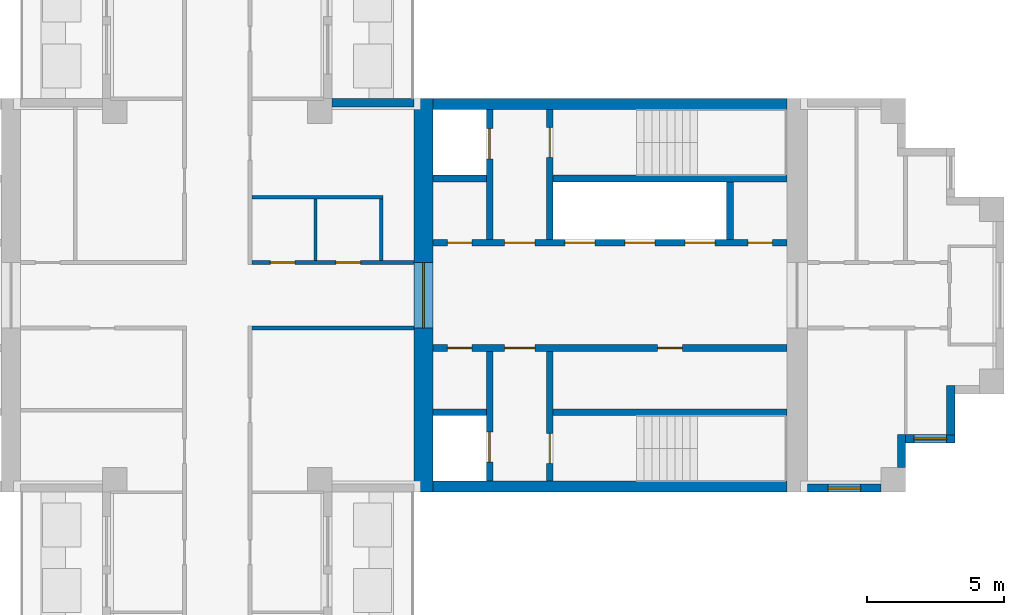
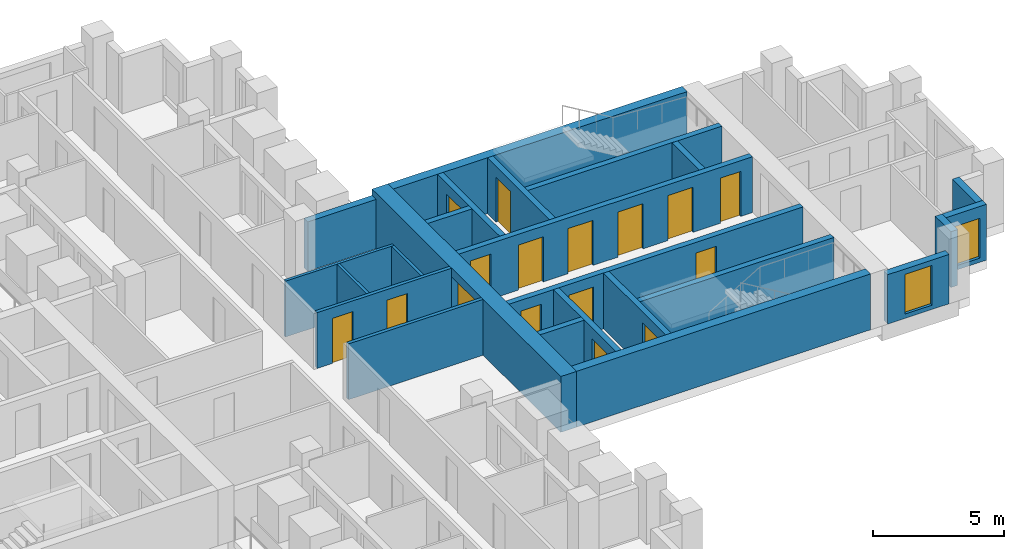
# One storey, part 5 of 9: 24 walls, 16 doors, 2 windows, 18 openings.
"""IFC4 building model written with IfcOpenShell, lengths in metres."""

from ifc_helpers import new_model, si_unit, direction, frame, frame_2d, origin, place, context, subcontext, project, spatial, rectangle, extrude, material, layer, layer_set, type_object, element, fill, save


model = new_model("IFC4")

# Units and contexts
model_context = context("Model", 3, precision=1e-05, world=origin(), true_north=direction((0.0, 1.0)))
body_context = subcontext(model_context, "Body", "Model", "MODEL_VIEW")
ifc_project = project(units=[si_unit("LENGTHUNIT", "METRE"), si_unit("AREAUNIT", "SQUARE_METRE"), si_unit("VOLUMEUNIT", "CUBIC_METRE"), si_unit("PLANEANGLEUNIT", "RADIAN"), si_unit("MASSUNIT", "GRAM", prefix="KILO")], contexts=[model_context])

# Site, building, storey
site_placement = place(None, origin())
site = spatial("IfcSite", under=ifc_project, at=site_placement, CompositionType="ELEMENT")
building_placement = place(site_placement, origin())
building = spatial("IfcBuilding", under=site, at=building_placement, Name="Fustian Cross Tower", CompositionType="ELEMENT")
storey_placement = place(building_placement, frame((0.0, 0.0, 216.89990234375)))
storey = spatial("IfcBuildingStorey", under=building, at=storey_placement, Name="L68", CompositionType="ELEMENT", Elevation=216.89990234375)

# Wall
ifc_material_1 = material(Name="Plasterboard on steel stud", Category="steel")
ifc_layer_1 = layer(ifc_material_1, 0.14990234375)
ifc_layer_set_1 = layer_set([ifc_layer_1], Name="Plasterboard on steel stud")
wall_type_1 = type_object("IfcWallType", Name="COMPARTMENT WALL 150 EI 60", PredefinedType="PARTITIONING", material=ifc_layer_set_1)
wall_1_placement = place(storey_placement, frame((1.27490234375, -1.199951171875, 0.0), z_axis=(0.0, 0.0, 1.0), x_axis=(1.0, 0.0, 0.0)))
element("IfcWall", 1, at=wall_1_placement, inside=storey, type_object=wall_type_1, Name="Partition 38", PredefinedType="PARTITIONING", context=body_context, shape_type="SweptSolid", body=[
    extrude(rectangle(XDim=5.925048828125, YDim=0.14990234375, at=frame_2d((2.96240234375, 0.0))), origin(), (0.0, 0.0, 1.0), 2.60009765625),
])

# Wall, openings, doors
wall_2_placement = place(storey_placement, frame((1.27490234375, 1.199951171875, 0.0), z_axis=(0.0, 0.0, 1.0), x_axis=(1.0, 0.0, 0.0)))
wall_2 = element("IfcWall", 2, at=wall_2_placement, inside=storey, type_object=wall_type_1, Name="Partition 40", PredefinedType="PARTITIONING", context=body_context, shape_type="SweptSolid", body=[
    extrude(rectangle(XDim=5.925048828125, YDim=0.14990234375, at=frame_2d((2.96240234375, 0.0))), origin(), (0.0, 0.0, 1.0), 2.60009765625),
])
opening_1_placement = place(wall_2_placement, frame((0.675048828125, 0.0, 0.0)))
opening_1 = element("IfcOpeningElement", 3, at=opening_1_placement, cuts=wall_2, Name="Opening D31001", PredefinedType="OPENING", context=body_context, shape_type="SweptSolid", body=[
    extrude(rectangle(XDim=0.89990234375, YDim=2.10009765625, at=frame_2d((0.449951171875, 1.050048828125))), frame((0.0, 0.0849609375, 0.0), z_axis=(0.0, -1.0, 0.0), x_axis=(1.0, 0.0, 0.0)), (0.0, 0.0, 1.0), 0.169921875),
])
opening_2_placement = place(wall_2_placement, frame((3.074951171875, 0.0, 0.0)))
opening_2 = element("IfcOpeningElement", 4, at=opening_2_placement, cuts=wall_2, Name="Opening D31002", PredefinedType="OPENING", context=body_context, shape_type="SweptSolid", body=[
    extrude(rectangle(XDim=0.89990234375, YDim=2.10009765625, at=frame_2d((0.449951171875, 1.050048828125))), frame((0.0, 0.0849609375, 0.0), z_axis=(0.0, -1.0, 0.0), x_axis=(1.0, 0.0, 0.0)), (0.0, 0.0, 1.0), 0.169921875),
])
ifc_material_2 = material(Name="Timber fire door set", Category="wood")
door_type_1 = type_object("IfcDoorType", Name="FIRE SWING DOOR 900 FD30S", OperationType="SINGLE_SWING_LEFT", PredefinedType="DOOR", material=ifc_material_2)
door_1_placement = place(opening_1_placement, origin())
door_1 = element("IfcDoor", 5, at=door_1_placement, inside=storey, type_object=door_type_1, Name="Door D31001", OperationType="SINGLE_SWING_LEFT", OverallHeight=2.10009765625, OverallWidth=0.89990234375, PredefinedType="DOOR", context=body_context, shape_type="SweptSolid", body=[
    extrude(rectangle(XDim=0.89990234375, YDim=2.10009765625, at=frame_2d((0.449951171875, 1.050048828125))), frame((0.0, 0.02490234375, 0.0), z_axis=(0.0, -1.0, 0.0), x_axis=(1.0, 0.0, 0.0)), (0.0, 0.0, 1.0), 0.050048828125),
])
fill(opening_1, door_1)
door_2_placement = place(opening_2_placement, origin())
door_2 = element("IfcDoor", 6, at=door_2_placement, inside=storey, type_object=door_type_1, Name="Door D31002", OperationType="SINGLE_SWING_LEFT", OverallHeight=2.10009765625, OverallWidth=0.89990234375, PredefinedType="DOOR", context=body_context, shape_type="SweptSolid", body=[
    extrude(rectangle(XDim=0.89990234375, YDim=2.10009765625, at=frame_2d((0.449951171875, 1.050048828125))), frame((0.0, 0.02490234375, 0.0), z_axis=(0.0, -1.0, 0.0), x_axis=(1.0, 0.0, 0.0)), (0.0, 0.0, 1.0), 0.050048828125),
])
fill(opening_2, door_2)

# Wall, opening, door
ifc_material_3 = material(Name="Concrete C50/60", Category="concrete")
ifc_layer_2 = layer(ifc_material_3, 0.699951171875)
ifc_layer_set_2 = layer_set([ifc_layer_2], Name="Concrete C50/60")
wall_type_2 = type_object("IfcWallType", Name="CORE END WALL 700 C50/60", PredefinedType="SHEAR", material=ifc_layer_set_2)
wall_3_placement = place(storey_placement, frame((7.550048828125, -7.199951171875, 0.0), z_axis=(0.0, 0.0, 1.0), x_axis=(0.0, 1.0, 0.0)))
wall_3 = element("IfcWall", 7, at=wall_3_placement, inside=storey, type_object=wall_type_2, Name="Core end wall", PredefinedType="SHEAR", context=body_context, shape_type="SweptSolid", body=[
    extrude(rectangle(XDim=14.39990234375, YDim=0.699951171875, at=frame_2d((7.199951171875, 0.0))), origin(), (0.0, 0.0, 1.0), 2.60009765625),
])
opening_3_placement = place(wall_3_placement, frame((6.0, 0.0, 0.0)))
opening_3 = element("IfcOpeningElement", 8, at=opening_3_placement, cuts=wall_3, Name="Opening CD-29-12", PredefinedType="OPENING", context=body_context, shape_type="SweptSolid", body=[
    extrude(rectangle(XDim=2.39990234375, YDim=2.199951171875, at=frame_2d((1.199951171875, 1.10009765625))), frame((0.0, 0.35986328125, 0.0), z_axis=(0.0, -1.0, 0.0), x_axis=(1.0, 0.0, 0.0)), (0.0, 0.0, 1.0), 0.719970703125),
])
ifc_material_4 = material(Name="Steel", Category="steel")
door_type_2 = type_object("IfcDoorType", Name="FIRE DOOR FD30S DOUBLE 2400X2200", OperationType="DOUBLE_DOOR_DOUBLE_SWING", PredefinedType="DOOR", material=ifc_material_4)
door_3_placement = place(opening_3_placement, frame((2.39990234375, 0.0, 0.0), z_axis=(0.0, 0.0, 1.0), x_axis=(-1.0, 0.0, 0.0)))
door_3 = element("IfcDoor", 9, at=door_3_placement, inside=storey, type_object=door_type_2, Name="Core door CD-29-12", OperationType="DOUBLE_DOOR_DOUBLE_SWING", OverallHeight=2.199951171875, OverallWidth=2.39990234375, PredefinedType="DOOR", context=body_context, shape_type="SweptSolid", body=[
    extrude(rectangle(XDim=2.39990234375, YDim=2.199951171875, at=frame_2d((1.199951171875, 1.10009765625))), frame((0.0, 0.02490234375, 0.0), z_axis=(0.0, -1.0, 0.0), x_axis=(1.0, 0.0, 0.0)), (0.0, 0.0, 1.0), 0.050048828125),
])
fill(opening_3, door_3)

# Walls
ifc_material_5 = material(Name="Concrete C50/60", Category="concrete")
ifc_layer_3 = layer(ifc_material_5, 0.39990234375)
ifc_layer_set_3 = layer_set([ifc_layer_3], Name="Concrete C50/60")
wall_type_3 = type_object("IfcWallType", Name="CORE FACADE WALL 400 C50/60", PredefinedType="SHEAR", material=ifc_layer_set_3)
for number, where, z_axis, x_axis, name in (
    (10, (7.89990234375, 7.0, 0.0), (0.0, 0.0, 1.0), (1.0, 0.0, 0.0), "Core facade wall"),
    (11, (7.89990234375, -7.0, 0.0), (0.0, 0.0, 1.0), (1.0, 0.0, 0.0), "Core facade wall"),
):
    element("IfcWall", number, at=place(storey_placement, frame(where, z_axis=z_axis, x_axis=x_axis)), inside=storey, type_object=wall_type_3, Name=name, PredefinedType="SHEAR", context=body_context, shape_type="SweptSolid", body=[
        extrude(rectangle(XDim=12.9501953125, YDim=0.39990234375, at=frame_2d((6.47509765625, 0.0))), origin(), (0.0, 0.0, 1.0), 2.60009765625),
    ])

# Wall, openings, doors
ifc_material_6 = material(Name="Concrete C50/60", Category="concrete")
ifc_layer_4 = layer(ifc_material_6, 0.25)
ifc_layer_set_4 = layer_set([ifc_layer_4], Name="Concrete C50/60")
wall_type_4 = type_object("IfcWallType", Name="CORE LOBBY WALL 250 C50/60", PredefinedType="SHEAR", material=ifc_layer_set_4)
wall_4_placement = place(storey_placement, frame((7.89990234375, 1.925048828125, 0.0), z_axis=(0.0, 0.0, 1.0), x_axis=(1.0, 0.0, 0.0)))
wall_4 = element("IfcWall", 12, at=wall_4_placement, inside=storey, type_object=wall_type_4, Name="Core lobby wall", PredefinedType="SHEAR", context=body_context, shape_type="SweptSolid", body=[
    extrude(rectangle(XDim=12.9501953125, YDim=0.25, at=frame_2d((6.47509765625, 0.0))), origin(), (0.0, 0.0, 1.0), 2.60009765625),
])
opening_4_placement = place(wall_4_placement, frame((4.824951171875, 0.0, 0.0)))
opening_4 = element("IfcOpeningElement", 13, at=opening_4_placement, cuts=wall_4, Name="Opening LD", PredefinedType="OPENING", context=body_context, shape_type="SweptSolid", body=[
    extrude(rectangle(XDim=1.10009765625, YDim=2.10009765625, at=frame_2d((0.550048828125, 1.050048828125))), frame((0.0, 0.135009765625, 0.0), z_axis=(0.0, -1.0, 0.0), x_axis=(1.0, 0.0, 0.0)), (0.0, 0.0, 1.0), 0.27001953125),
])
opening_5_placement = place(wall_4_placement, frame((7.02490234375, 0.0, 0.0)))
opening_5 = element("IfcOpeningElement", 14, at=opening_5_placement, cuts=wall_4, Name="Opening LD", PredefinedType="OPENING", context=body_context, shape_type="SweptSolid", body=[
    extrude(rectangle(XDim=1.10009765625, YDim=2.10009765625, at=frame_2d((0.550048828125, 1.050048828125))), frame((0.0, 0.135009765625, 0.0), z_axis=(0.0, -1.0, 0.0), x_axis=(1.0, 0.0, 0.0)), (0.0, 0.0, 1.0), 0.27001953125),
])
opening_6_placement = place(wall_4_placement, frame((9.22509765625, 0.0, 0.0)))
opening_6 = element("IfcOpeningElement", 15, at=opening_6_placement, cuts=wall_4, Name="Opening LD", PredefinedType="OPENING", context=body_context, shape_type="SweptSolid", body=[
    extrude(rectangle(XDim=1.10009765625, YDim=2.10009765625, at=frame_2d((0.550048828125, 1.050048828125))), frame((0.0, 0.135009765625, 0.0), z_axis=(0.0, -1.0, 0.0), x_axis=(1.0, 0.0, 0.0)), (0.0, 0.0, 1.0), 0.27001953125),
])
opening_7_placement = place(wall_4_placement, frame((0.52490234375, 0.0, 0.0)))
opening_7 = element("IfcOpeningElement", 16, at=opening_7_placement, cuts=wall_4, Name="Opening CD-29-08", PredefinedType="OPENING", context=body_context, shape_type="SweptSolid", body=[
    extrude(rectangle(XDim=0.89990234375, YDim=2.10009765625, at=frame_2d((0.449951171875, 1.050048828125))), frame((0.0, 0.135009765625, 0.0), z_axis=(0.0, -1.0, 0.0), x_axis=(1.0, 0.0, 0.0)), (0.0, 0.0, 1.0), 0.27001953125),
])
opening_8_placement = place(wall_4_placement, frame((2.625, 0.0, 0.0)))
opening_8 = element("IfcOpeningElement", 17, at=opening_8_placement, cuts=wall_4, Name="Opening CD-29-10", PredefinedType="OPENING", context=body_context, shape_type="SweptSolid", body=[
    extrude(rectangle(XDim=1.10009765625, YDim=2.10009765625, at=frame_2d((0.550048828125, 1.050048828125))), frame((0.0, 0.135009765625, 0.0), z_axis=(0.0, -1.0, 0.0), x_axis=(1.0, 0.0, 0.0)), (0.0, 0.0, 1.0), 0.27001953125),
])
opening_9_placement = place(wall_4_placement, frame((11.52490234375, 0.0, 0.0)))
opening_9 = element("IfcOpeningElement", 18, at=opening_9_placement, cuts=wall_4, Name="Opening CD-29-14", PredefinedType="OPENING", context=body_context, shape_type="SweptSolid", body=[
    extrude(rectangle(XDim=0.89990234375, YDim=2.10009765625, at=frame_2d((0.449951171875, 1.050048828125))), frame((0.0, 0.135009765625, 0.0), z_axis=(0.0, -1.0, 0.0), x_axis=(1.0, 0.0, 0.0)), (0.0, 0.0, 1.0), 0.27001953125),
])
ifc_material_7 = material(Name="Steel", Category="steel")
door_type_3 = type_object("IfcDoorType", Name="FIRE DOOR FD30S 900X2100", OperationType="SINGLE_SWING_LEFT", PredefinedType="DOOR", material=ifc_material_7)
door_4_placement = place(opening_9_placement, origin())
door_4 = element("IfcDoor", 19, at=door_4_placement, inside=storey, type_object=door_type_3, Name="Core door CD-29-14", OperationType="SINGLE_SWING_LEFT", OverallHeight=2.10009765625, OverallWidth=0.89990234375, PredefinedType="DOOR", context=body_context, shape_type="SweptSolid", body=[
    extrude(rectangle(XDim=0.89990234375, YDim=2.10009765625, at=frame_2d((0.449951171875, 1.050048828125))), frame((0.0, 0.02490234375, 0.0), z_axis=(0.0, -1.0, 0.0), x_axis=(1.0, 0.0, 0.0)), (0.0, 0.0, 1.0), 0.050048828125),
])
fill(opening_9, door_4)
ifc_material_8 = material(Name="Steel", Category="steel")
door_type_4 = type_object("IfcDoorType", Name="FIRE DOOR FD60S 1100X2100", OperationType="SINGLE_SWING_LEFT", PredefinedType="DOOR", material=ifc_material_8)
door_5_placement = place(opening_8_placement, frame((1.10009765625, 0.0, 0.0), z_axis=(0.0, 0.0, 1.0), x_axis=(-1.0, 0.0, 0.0)))
door_5 = element("IfcDoor", 20, at=door_5_placement, inside=storey, type_object=door_type_4, Name="Core door CD-29-10", OperationType="SINGLE_SWING_RIGHT", OverallHeight=2.10009765625, OverallWidth=1.10009765625, PredefinedType="DOOR", context=body_context, shape_type="SweptSolid", body=[
    extrude(rectangle(XDim=1.10009765625, YDim=2.10009765625, at=frame_2d((0.550048828125, 1.050048828125))), frame((0.0, 0.02490234375, 0.0), z_axis=(0.0, -1.0, 0.0), x_axis=(1.0, 0.0, 0.0)), (0.0, 0.0, 1.0), 0.050048828125),
])
fill(opening_8, door_5)
ifc_material_9 = material(Name="Steel", Category="steel")
door_type_5 = type_object("IfcDoorType", Name="FIRE DOOR FD60S 900X2100", OperationType="SINGLE_SWING_LEFT", PredefinedType="DOOR", material=ifc_material_9)
door_6_placement = place(opening_7_placement, origin())
door_6 = element("IfcDoor", 21, at=door_6_placement, inside=storey, type_object=door_type_5, Name="Core door CD-29-08", OperationType="SINGLE_SWING_LEFT", OverallHeight=2.10009765625, OverallWidth=0.89990234375, PredefinedType="DOOR", context=body_context, shape_type="SweptSolid", body=[
    extrude(rectangle(XDim=0.89990234375, YDim=2.10009765625, at=frame_2d((0.449951171875, 1.050048828125))), frame((0.0, 0.02490234375, 0.0), z_axis=(0.0, -1.0, 0.0), x_axis=(1.0, 0.0, 0.0)), (0.0, 0.0, 1.0), 0.050048828125),
])
fill(opening_7, door_6)
ifc_material_10 = material(Name="Stainless steel", Category="steel")
door_type_6 = type_object("IfcDoorType", Name="LIFT LANDING DOOR 1100X2100", OperationType="SLIDING_TO_LEFT", PredefinedType="DOOR", material=ifc_material_10)
door_7_placement = place(opening_4_placement, origin())
door_7 = element("IfcDoor", 22, at=door_7_placement, inside=storey, type_object=door_type_6, Name="Landing door HR1", OperationType="SLIDING_TO_LEFT", OverallHeight=2.10009765625, OverallWidth=1.10009765625, PredefinedType="DOOR", context=body_context, shape_type="SweptSolid", body=[
    extrude(rectangle(XDim=1.10009765625, YDim=2.10009765625, at=frame_2d((0.550048828125, 1.050048828125))), frame((0.0, 0.02490234375, 0.0), z_axis=(0.0, -1.0, 0.0), x_axis=(1.0, 0.0, 0.0)), (0.0, 0.0, 1.0), 0.050048828125),
])
fill(opening_4, door_7)
door_8_placement = place(opening_5_placement, origin())
door_8 = element("IfcDoor", 23, at=door_8_placement, inside=storey, type_object=door_type_6, Name="Landing door HR2", OperationType="SLIDING_TO_LEFT", OverallHeight=2.10009765625, OverallWidth=1.10009765625, PredefinedType="DOOR", context=body_context, shape_type="SweptSolid", body=[
    extrude(rectangle(XDim=1.10009765625, YDim=2.10009765625, at=frame_2d((0.550048828125, 1.050048828125))), frame((0.0, 0.02490234375, 0.0), z_axis=(0.0, -1.0, 0.0), x_axis=(1.0, 0.0, 0.0)), (0.0, 0.0, 1.0), 0.050048828125),
])
fill(opening_5, door_8)
door_9_placement = place(opening_6_placement, origin())
door_9 = element("IfcDoor", 24, at=door_9_placement, inside=storey, type_object=door_type_6, Name="Landing door HR3", OperationType="SLIDING_TO_LEFT", OverallHeight=2.10009765625, OverallWidth=1.10009765625, PredefinedType="DOOR", context=body_context, shape_type="SweptSolid", body=[
    extrude(rectangle(XDim=1.10009765625, YDim=2.10009765625, at=frame_2d((0.550048828125, 1.050048828125))), frame((0.0, 0.02490234375, 0.0), z_axis=(0.0, -1.0, 0.0), x_axis=(1.0, 0.0, 0.0)), (0.0, 0.0, 1.0), 0.050048828125),
])
fill(opening_6, door_9)

wall_5_placement = place(storey_placement, frame((7.89990234375, -1.925048828125, 0.0), z_axis=(0.0, 0.0, 1.0), x_axis=(1.0, 0.0, 0.0)))
wall_5 = element("IfcWall", 25, at=wall_5_placement, inside=storey, type_object=wall_type_4, Name="Core lobby wall", PredefinedType="SHEAR", context=body_context, shape_type="SweptSolid", body=[
    extrude(rectangle(XDim=12.9501953125, YDim=0.25, at=frame_2d((6.47509765625, 0.0))), origin(), (0.0, 0.0, 1.0), 2.60009765625),
])
opening_10_placement = place(wall_5_placement, frame((0.52490234375, 0.0, 0.0)))
opening_10 = element("IfcOpeningElement", 26, at=opening_10_placement, cuts=wall_5, Name="Opening CD-29-09", PredefinedType="OPENING", context=body_context, shape_type="SweptSolid", body=[
    extrude(rectangle(XDim=0.89990234375, YDim=2.10009765625, at=frame_2d((0.449951171875, 1.050048828125))), frame((0.0, 0.135009765625, 0.0), z_axis=(0.0, -1.0, 0.0), x_axis=(1.0, 0.0, 0.0)), (0.0, 0.0, 1.0), 0.27001953125),
])
opening_11_placement = place(wall_5_placement, frame((2.625, 0.0, 0.0)))
opening_11 = element("IfcOpeningElement", 27, at=opening_11_placement, cuts=wall_5, Name="Opening CD-29-11", PredefinedType="OPENING", context=body_context, shape_type="SweptSolid", body=[
    extrude(rectangle(XDim=1.10009765625, YDim=2.10009765625, at=frame_2d((0.550048828125, 1.050048828125))), frame((0.0, 0.135009765625, 0.0), z_axis=(0.0, -1.0, 0.0), x_axis=(1.0, 0.0, 0.0)), (0.0, 0.0, 1.0), 0.27001953125),
])
opening_12_placement = place(wall_5_placement, frame((8.22509765625, 0.0, 0.0)))
opening_12 = element("IfcOpeningElement", 28, at=opening_12_placement, cuts=wall_5, Name="Opening CD-29-15", PredefinedType="OPENING", context=body_context, shape_type="SweptSolid", body=[
    extrude(rectangle(XDim=0.89990234375, YDim=2.10009765625, at=frame_2d((0.449951171875, 1.050048828125))), frame((0.0, 0.135009765625, 0.0), z_axis=(0.0, -1.0, 0.0), x_axis=(1.0, 0.0, 0.0)), (0.0, 0.0, 1.0), 0.27001953125),
])
ifc_material_11 = material(Name="Steel", Category="steel")
door_type_7 = type_object("IfcDoorType", Name="FIRE DOOR FD30S 1100X2100", OperationType="SINGLE_SWING_LEFT", PredefinedType="DOOR", material=ifc_material_11)
door_10_placement = place(opening_11_placement, frame((1.10009765625, 0.0, 0.0), z_axis=(0.0, 0.0, 1.0), x_axis=(-1.0, 0.0, 0.0)))
door_10 = element("IfcDoor", 29, at=door_10_placement, inside=storey, type_object=door_type_7, Name="Core door CD-29-11", OperationType="SINGLE_SWING_RIGHT", OverallHeight=2.10009765625, OverallWidth=1.10009765625, PredefinedType="DOOR", context=body_context, shape_type="SweptSolid", body=[
    extrude(rectangle(XDim=1.10009765625, YDim=2.10009765625, at=frame_2d((0.550048828125, 1.050048828125))), frame((0.0, 0.02490234375, 0.0), z_axis=(0.0, -1.0, 0.0), x_axis=(1.0, 0.0, 0.0)), (0.0, 0.0, 1.0), 0.050048828125),
])
fill(opening_11, door_10)
door_11_placement = place(opening_10_placement, frame((0.89990234375, 0.0, 0.0), z_axis=(0.0, 0.0, 1.0), x_axis=(-1.0, 0.0, 0.0)))
door_11 = element("IfcDoor", 30, at=door_11_placement, inside=storey, type_object=door_type_3, Name="Core door CD-29-09", OperationType="SINGLE_SWING_RIGHT", OverallHeight=2.10009765625, OverallWidth=0.89990234375, PredefinedType="DOOR", context=body_context, shape_type="SweptSolid", body=[
    extrude(rectangle(XDim=0.89990234375, YDim=2.10009765625, at=frame_2d((0.449951171875, 1.050048828125))), frame((0.0, 0.02490234375, 0.0), z_axis=(0.0, -1.0, 0.0), x_axis=(1.0, 0.0, 0.0)), (0.0, 0.0, 1.0), 0.050048828125),
])
fill(opening_10, door_11)
door_12_placement = place(opening_12_placement, frame((0.89990234375, 0.0, 0.0), z_axis=(0.0, 0.0, 1.0), x_axis=(-1.0, 0.0, 0.0)))
door_12 = element("IfcDoor", 31, at=door_12_placement, inside=storey, type_object=door_type_3, Name="Core door CD-29-15", OperationType="SINGLE_SWING_LEFT", OverallHeight=2.10009765625, OverallWidth=0.89990234375, PredefinedType="DOOR", context=body_context, shape_type="SweptSolid", body=[
    extrude(rectangle(XDim=0.89990234375, YDim=2.10009765625, at=frame_2d((0.449951171875, 1.050048828125))), frame((0.0, 0.02490234375, 0.0), z_axis=(0.0, -1.0, 0.0), x_axis=(1.0, 0.0, 0.0)), (0.0, 0.0, 1.0), 0.050048828125),
])
fill(opening_12, door_12)

# Walls
ifc_material_12 = material(Name="Concrete C50/60", Category="concrete")
ifc_layer_5 = layer(ifc_material_12, 0.25)
ifc_layer_set_5 = layer_set([ifc_layer_5], Name="Concrete C50/60")
wall_type_5 = type_object("IfcWallType", Name="CORE SHAFT WALL 250 C50/60", PredefinedType="SHEAR", material=ifc_layer_set_5)
wall_6_placement = place(storey_placement, frame((7.89990234375, 4.27490234375, 0.0), z_axis=(0.0, 0.0, 1.0), x_axis=(1.0, 0.0, 0.0)))
element("IfcWall", 32, at=wall_6_placement, inside=storey, type_object=wall_type_5, Name="Core shaft wall", PredefinedType="SHEAR", context=body_context, shape_type="SweptSolid", body=[
    extrude(rectangle(XDim=1.9501953125, YDim=0.25, at=frame_2d((0.97509765625, 0.0))), origin(), (0.0, 0.0, 1.0), 2.60009765625),
])
wall_7_placement = place(storey_placement, frame((12.300048828125, 4.27490234375, 0.0), z_axis=(0.0, 0.0, 1.0), x_axis=(1.0, 0.0, 0.0)))
element("IfcWall", 33, at=wall_7_placement, inside=storey, type_object=wall_type_5, Name="Core shaft wall", PredefinedType="SHEAR", context=body_context, shape_type="SweptSolid", body=[
    extrude(rectangle(XDim=8.550048828125, YDim=0.25, at=frame_2d((4.27490234375, 0.0))), origin(), (0.0, 0.0, 1.0), 2.60009765625),
])

# Wall, opening, door
wall_8_placement = place(storey_placement, frame((9.97509765625, 2.050048828125, 0.0), z_axis=(0.0, 0.0, 1.0), x_axis=(0.0, 1.0, 0.0)))
wall_8 = element("IfcWall", 34, at=wall_8_placement, inside=storey, type_object=wall_type_5, Name="Core shaft wall", PredefinedType="SHEAR", context=body_context, shape_type="SweptSolid", body=[
    extrude(rectangle(XDim=4.75, YDim=0.25, at=frame_2d((2.375, 0.0))), origin(), (0.0, 0.0, 1.0), 2.60009765625),
])
opening_13_placement = place(wall_8_placement, frame((2.949951171875, 0.0, 0.0)))
opening_13 = element("IfcOpeningElement", 35, at=opening_13_placement, cuts=wall_8, Name="Opening LD", PredefinedType="OPENING", context=body_context, shape_type="SweptSolid", body=[
    extrude(rectangle(XDim=1.10009765625, YDim=2.10009765625, at=frame_2d((0.550048828125, 1.050048828125))), frame((0.0, 0.135009765625, 0.0), z_axis=(0.0, -1.0, 0.0), x_axis=(1.0, 0.0, 0.0)), (0.0, 0.0, 1.0), 0.27001953125),
])
door_13_placement = place(opening_13_placement, origin())
door_13 = element("IfcDoor", 36, at=door_13_placement, inside=storey, type_object=door_type_6, Name="Landing door FL1", OperationType="SLIDING_TO_LEFT", OverallHeight=2.10009765625, OverallWidth=1.10009765625, PredefinedType="DOOR", context=body_context, shape_type="SweptSolid", body=[
    extrude(rectangle(XDim=1.10009765625, YDim=2.10009765625, at=frame_2d((0.550048828125, 1.050048828125))), frame((0.0, 0.02490234375, 0.0), z_axis=(0.0, -1.0, 0.0), x_axis=(1.0, 0.0, 0.0)), (0.0, 0.0, 1.0), 0.050048828125),
])
fill(opening_13, door_13)

wall_9_placement = place(storey_placement, frame((12.175048828125, 2.050048828125, 0.0), z_axis=(0.0, 0.0, 1.0), x_axis=(0.0, 1.0, 0.0)))
wall_9 = element("IfcWall", 37, at=wall_9_placement, inside=storey, type_object=wall_type_5, Name="Core shaft wall", PredefinedType="SHEAR", context=body_context, shape_type="SweptSolid", body=[
    extrude(rectangle(XDim=4.75, YDim=0.25, at=frame_2d((2.375, 0.0))), origin(), (0.0, 0.0, 1.0), 2.60009765625),
])
opening_14_placement = place(wall_9_placement, frame((3.0, 0.0, 0.0)))
opening_14 = element("IfcOpeningElement", 38, at=opening_14_placement, cuts=wall_9, Name="Opening CD-29-06", PredefinedType="OPENING", context=body_context, shape_type="SweptSolid", body=[
    extrude(rectangle(XDim=1.10009765625, YDim=2.10009765625, at=frame_2d((0.550048828125, 1.050048828125))), frame((0.0, 0.135009765625, 0.0), z_axis=(0.0, -1.0, 0.0), x_axis=(1.0, 0.0, 0.0)), (0.0, 0.0, 1.0), 0.27001953125),
])
door_14_placement = place(opening_14_placement, frame((1.10009765625, 0.0, 0.0), z_axis=(0.0, 0.0, 1.0), x_axis=(-1.0, 0.0, 0.0)))
door_14 = element("IfcDoor", 39, at=door_14_placement, inside=storey, type_object=door_type_4, Name="Core door CD-29-06", OperationType="SINGLE_SWING_RIGHT", OverallHeight=2.10009765625, OverallWidth=1.10009765625, PredefinedType="DOOR", context=body_context, shape_type="SweptSolid", body=[
    extrude(rectangle(XDim=1.10009765625, YDim=2.10009765625, at=frame_2d((0.550048828125, 1.050048828125))), frame((0.0, 0.02490234375, 0.0), z_axis=(0.0, -1.0, 0.0), x_axis=(1.0, 0.0, 0.0)), (0.0, 0.0, 1.0), 0.050048828125),
])
fill(opening_14, door_14)

# Walls
wall_10_placement = place(storey_placement, frame((7.89990234375, -4.27490234375, 0.0), z_axis=(0.0, 0.0, 1.0), x_axis=(1.0, 0.0, 0.0)))
element("IfcWall", 40, at=wall_10_placement, inside=storey, type_object=wall_type_5, Name="Core shaft wall", PredefinedType="SHEAR", context=body_context, shape_type="SweptSolid", body=[
    extrude(rectangle(XDim=1.9501953125, YDim=0.25, at=frame_2d((0.97509765625, 0.0))), origin(), (0.0, 0.0, 1.0), 2.60009765625),
])
wall_11_placement = place(storey_placement, frame((12.300048828125, -4.27490234375, 0.0), z_axis=(0.0, 0.0, 1.0), x_axis=(1.0, 0.0, 0.0)))
element("IfcWall", 41, at=wall_11_placement, inside=storey, type_object=wall_type_5, Name="Core shaft wall", PredefinedType="SHEAR", context=body_context, shape_type="SweptSolid", body=[
    extrude(rectangle(XDim=8.550048828125, YDim=0.25, at=frame_2d((4.27490234375, 0.0))), origin(), (0.0, 0.0, 1.0), 2.60009765625),
])

# Wall, opening, door
wall_12_placement = place(storey_placement, frame((9.97509765625, -2.050048828125, 0.0), z_axis=(0.0, 0.0, 1.0), x_axis=(0.0, -1.0, 0.0)))
wall_12 = element("IfcWall", 42, at=wall_12_placement, inside=storey, type_object=wall_type_5, Name="Core shaft wall", PredefinedType="SHEAR", context=body_context, shape_type="SweptSolid", body=[
    extrude(rectangle(XDim=4.75, YDim=0.25, at=frame_2d((2.375, 0.0))), origin(), (0.0, 0.0, 1.0), 2.60009765625),
])
opening_15_placement = place(wall_12_placement, frame((2.949951171875, 0.0, 0.0)))
opening_15 = element("IfcOpeningElement", 43, at=opening_15_placement, cuts=wall_12, Name="Opening LD", PredefinedType="OPENING", context=body_context, shape_type="SweptSolid", body=[
    extrude(rectangle(XDim=1.10009765625, YDim=2.10009765625, at=frame_2d((0.550048828125, 1.050048828125))), frame((0.0, 0.135009765625, 0.0), z_axis=(0.0, -1.0, 0.0), x_axis=(1.0, 0.0, 0.0)), (0.0, 0.0, 1.0), 0.27001953125),
])
door_15_placement = place(opening_15_placement, origin())
door_15 = element("IfcDoor", 44, at=door_15_placement, inside=storey, type_object=door_type_6, Name="Landing door SV1", OperationType="SLIDING_TO_LEFT", OverallHeight=2.10009765625, OverallWidth=1.10009765625, PredefinedType="DOOR", context=body_context, shape_type="SweptSolid", body=[
    extrude(rectangle(XDim=1.10009765625, YDim=2.10009765625, at=frame_2d((0.550048828125, 1.050048828125))), frame((0.0, 0.02490234375, 0.0), z_axis=(0.0, -1.0, 0.0), x_axis=(1.0, 0.0, 0.0)), (0.0, 0.0, 1.0), 0.050048828125),
])
fill(opening_15, door_15)

wall_13_placement = place(storey_placement, frame((12.175048828125, -2.050048828125, 0.0), z_axis=(0.0, 0.0, 1.0), x_axis=(0.0, -1.0, 0.0)))
wall_13 = element("IfcWall", 45, at=wall_13_placement, inside=storey, type_object=wall_type_5, Name="Core shaft wall", PredefinedType="SHEAR", context=body_context, shape_type="SweptSolid", body=[
    extrude(rectangle(XDim=4.75, YDim=0.25, at=frame_2d((2.375, 0.0))), origin(), (0.0, 0.0, 1.0), 2.60009765625),
])
opening_16_placement = place(wall_13_placement, frame((3.0, 0.0, 0.0)))
opening_16 = element("IfcOpeningElement", 46, at=opening_16_placement, cuts=wall_13, Name="Opening CD-29-07", PredefinedType="OPENING", context=body_context, shape_type="SweptSolid", body=[
    extrude(rectangle(XDim=1.10009765625, YDim=2.10009765625, at=frame_2d((0.550048828125, 1.050048828125))), frame((0.0, 0.135009765625, 0.0), z_axis=(0.0, -1.0, 0.0), x_axis=(1.0, 0.0, 0.0)), (0.0, 0.0, 1.0), 0.27001953125),
])
door_16_placement = place(opening_16_placement, origin())
door_16 = element("IfcDoor", 47, at=door_16_placement, inside=storey, type_object=door_type_4, Name="Core door CD-29-07", OperationType="SINGLE_SWING_LEFT", OverallHeight=2.10009765625, OverallWidth=1.10009765625, PredefinedType="DOOR", context=body_context, shape_type="SweptSolid", body=[
    extrude(rectangle(XDim=1.10009765625, YDim=2.10009765625, at=frame_2d((0.550048828125, 1.050048828125))), frame((0.0, 0.02490234375, 0.0), z_axis=(0.0, -1.0, 0.0), x_axis=(1.0, 0.0, 0.0)), (0.0, 0.0, 1.0), 0.050048828125),
])
fill(opening_16, door_16)

# Walls
ifc_material_13 = material(Name="Concrete C40/50", Category="concrete")
ifc_layer_6 = layer(ifc_material_13, 0.25)
ifc_layer_set_6 = layer_set([ifc_layer_6], Name="Concrete C40/50")
wall_type_6 = type_object("IfcWallType", Name="SHAFT PARTITION WALL 250 C40/50", PredefinedType="PARTITIONING", material=ifc_layer_set_6)
wall_14_placement = place(storey_placement, frame((18.77490234375, 2.050048828125, 0.0), z_axis=(0.0, 0.0, 1.0), x_axis=(0.0, 1.0, 0.0)))
element("IfcWall", 48, at=wall_14_placement, inside=storey, type_object=wall_type_6, Name="Core shaft wall", PredefinedType="PARTITIONING", context=body_context, shape_type="SweptSolid", body=[
    extrude(rectangle(XDim=2.099853515625, YDim=0.25, at=frame_2d((1.0498046875, 0.0))), origin(), (0.0, 0.0, 1.0), 2.60009765625),
])
ifc_material_14 = material(Name="Plasterboard on steel stud", Category="steel")
ifc_layer_7 = layer(ifc_material_14, 0.125)
ifc_layer_set_7 = layer_set([ifc_layer_7], Name="Plasterboard on steel stud")
wall_type_7 = type_object("IfcWallType", Name="WET WALL 125 STUD", PredefinedType="PARTITIONING", material=ifc_layer_set_7)
wall_15_placement = place(storey_placement, frame((1.27490234375, 3.60009765625, 0.0), z_axis=(0.0, 0.0, 1.0), x_axis=(1.0, 0.0, 0.0)))
element("IfcWall", 49, at=wall_15_placement, inside=storey, type_object=wall_type_7, Name="Partition 41", PredefinedType="PARTITIONING", context=body_context, shape_type="SweptSolid", body=[
    extrude(rectangle(XDim=4.78759765625, YDim=0.125, at=frame_2d((2.393798828125, 0.0))), origin(), (0.0, 0.0, 1.0), 2.60009765625),
])
for number, where, z_axis, x_axis, name in (
    (50, (3.60009765625, 1.27490234375, 0.0), (0.0, 0.0, 1.0), (0.0, 1.0, 0.0), "Partition 48"),
    (51, (6.0, 1.27490234375, 0.0), (0.0, 0.0, 1.0), (0.0, 1.0, 0.0), "Partition 49"),
):
    element("IfcWall", number, at=place(storey_placement, frame(where, z_axis=z_axis, x_axis=x_axis)), inside=storey, type_object=wall_type_7, Name=name, PredefinedType="PARTITIONING", context=body_context, shape_type="SweptSolid", body=[
        extrude(rectangle(XDim=2.2626953125, YDim=0.125, at=frame_2d((1.13134765625, 0.0))), origin(), (0.0, 0.0, 1.0), 2.60009765625),
    ])

# Wall, opening, window
ifc_material_15 = material(Name="Dark aluminium cladding on insulated backing wall", Category="aluminium")
ifc_layer_8 = layer(ifc_material_15, 0.300048828125)
ifc_layer_set_8 = layer_set([ifc_layer_8], Name="Dark aluminium cladding on insulated backing wall")
wall_type_8 = type_object("IfcWallType", Name="XW1 EXTERNAL WALL 300", PredefinedType="SOLIDWALL", material=ifc_layer_set_8)
wall_16_placement = place(storey_placement, frame((21.60009765625, -7.050048828125, 0.0), z_axis=(0.0, 0.0, 1.0), x_axis=(1.0, 0.0, 0.0)))
wall_16 = element("IfcWall", 52, at=wall_16_placement, inside=storey, type_object=wall_type_8, Name="External wall", PredefinedType="SOLIDWALL", context=body_context, shape_type="SweptSolid", body=[
    extrude(rectangle(XDim=2.699951171875, YDim=0.300048828125, at=frame_2d((1.35009765625, 0.0))), origin(), (0.0, 0.0, 1.0), 2.300048828125),
])
opening_17_placement = place(wall_16_placement, frame((0.75, 0.0, 0.199951171875)))
opening_17 = element("IfcOpeningElement", 53, at=opening_17_placement, cuts=wall_16, Name="Opening WN3", PredefinedType="OPENING", context=body_context, shape_type="SweptSolid", body=[
    extrude(rectangle(XDim=1.199951171875, YDim=1.85009765625, at=frame_2d((0.60009765625, 0.925048828125))), frame((0.0, 0.159912109375, 0.0), z_axis=(0.0, -1.0, 0.0), x_axis=(1.0, 0.0, 0.0)), (0.0, 0.0, 1.0), 0.320068359375),
])
ifc_material_16 = material(Name="Dark anodised aluminium and double glazing", Category="aluminium")
window_type = type_object("IfcWindowType", Name="WN3 WINDOW 1200X1850", PartitioningType="SINGLE_PANEL", PredefinedType="WINDOW", material=ifc_material_16)
window_1_placement = place(opening_17_placement, origin())
window_1 = element("IfcWindow", 54, at=window_1_placement, inside=storey, type_object=window_type, Name="Window", OverallHeight=1.85009765625, OverallWidth=1.199951171875, PartitioningType="SINGLE_PANEL", PredefinedType="WINDOW", context=body_context, shape_type="SweptSolid", body=[
    extrude(rectangle(XDim=1.199951171875, YDim=1.85009765625, at=frame_2d((0.60009765625, 0.925048828125))), frame((0.0, 0.030029296875, 0.0), z_axis=(0.0, -1.0, 0.0), x_axis=(1.0, 0.0, 0.0)), (0.0, 0.0, 1.0), 0.06005859375),
])
fill(opening_17, window_1)

# Wall
wall_17_placement = place(storey_placement, frame((25.050048828125, -6.300048828125, 0.0), z_axis=(0.0, 0.0, 1.0), x_axis=(0.0, 1.0, 0.0)))
element("IfcWall", 55, at=wall_17_placement, inside=storey, type_object=wall_type_8, Name="External wall", PredefinedType="SOLIDWALL", context=body_context, shape_type="SweptSolid", body=[
    extrude(rectangle(XDim=1.199951171875, YDim=0.300048828125, at=frame_2d((0.60009765625, 0.0))), origin(), (0.0, 0.0, 1.0), 2.60009765625),
])

# Wall, opening, window
wall_18_placement = place(storey_placement, frame((25.199951171875, -5.25, 0.0), z_axis=(0.0, 0.0, 1.0), x_axis=(1.0, 0.0, 0.0)))
wall_18 = element("IfcWall", 56, at=wall_18_placement, inside=storey, type_object=wall_type_8, Name="External wall", PredefinedType="SOLIDWALL", context=body_context, shape_type="SweptSolid", body=[
    extrude(rectangle(XDim=1.800048828125, YDim=0.300048828125, at=frame_2d((0.89990234375, 0.0))), origin(), (0.0, 0.0, 1.0), 2.60009765625),
])
opening_18_placement = place(wall_18_placement, frame((0.300048828125, 0.0, 0.199951171875)))
opening_18 = element("IfcOpeningElement", 57, at=opening_18_placement, cuts=wall_18, Name="Opening WN3", PredefinedType="OPENING", context=body_context, shape_type="SweptSolid", body=[
    extrude(rectangle(XDim=1.199951171875, YDim=1.85009765625, at=frame_2d((0.60009765625, 0.925048828125))), frame((0.0, 0.159912109375, 0.0), z_axis=(0.0, -1.0, 0.0), x_axis=(1.0, 0.0, 0.0)), (0.0, 0.0, 1.0), 0.320068359375),
])
window_2_placement = place(opening_18_placement, origin())
window_2 = element("IfcWindow", 58, at=window_2_placement, inside=storey, type_object=window_type, Name="Window", OverallHeight=1.85009765625, OverallWidth=1.199951171875, PartitioningType="SINGLE_PANEL", PredefinedType="WINDOW", context=body_context, shape_type="SweptSolid", body=[
    extrude(rectangle(XDim=1.199951171875, YDim=1.85009765625, at=frame_2d((0.60009765625, 0.925048828125))), frame((0.0, 0.030029296875, 0.0), z_axis=(0.0, -1.0, 0.0), x_axis=(1.0, 0.0, 0.0)), (0.0, 0.0, 1.0), 0.06005859375),
])
fill(opening_18, window_2)

# Walls
wall_19_placement = place(storey_placement, frame((26.85009765625, -5.10009765625, 0.0), z_axis=(0.0, 0.0, 1.0), x_axis=(0.0, 1.0, 0.0)))
element("IfcWall", 59, at=wall_19_placement, inside=storey, type_object=wall_type_8, Name="External wall", PredefinedType="SOLIDWALL", context=body_context, shape_type="SweptSolid", body=[
    extrude(rectangle(XDim=1.800048828125, YDim=0.300048828125, at=frame_2d((0.89990234375, 0.0))), origin(), (0.0, 0.0, 1.0), 2.60009765625),
])
wall_20_placement = place(storey_placement, frame((7.199951171875, 7.050048828125, 0.0), z_axis=(0.0, 0.0, 1.0), x_axis=(-1.0, 0.0, 0.0)))
element("IfcWall", 60, at=wall_20_placement, inside=storey, type_object=wall_type_8, Name="External wall", PredefinedType="SOLIDWALL", context=body_context, shape_type="SweptSolid", body=[
    extrude(rectangle(XDim=3.0, YDim=0.300048828125, at=frame_2d((1.5, 0.0))), origin(), (0.0, 0.0, 1.0), 2.300048828125),
])

save(model, "model.ifc")
